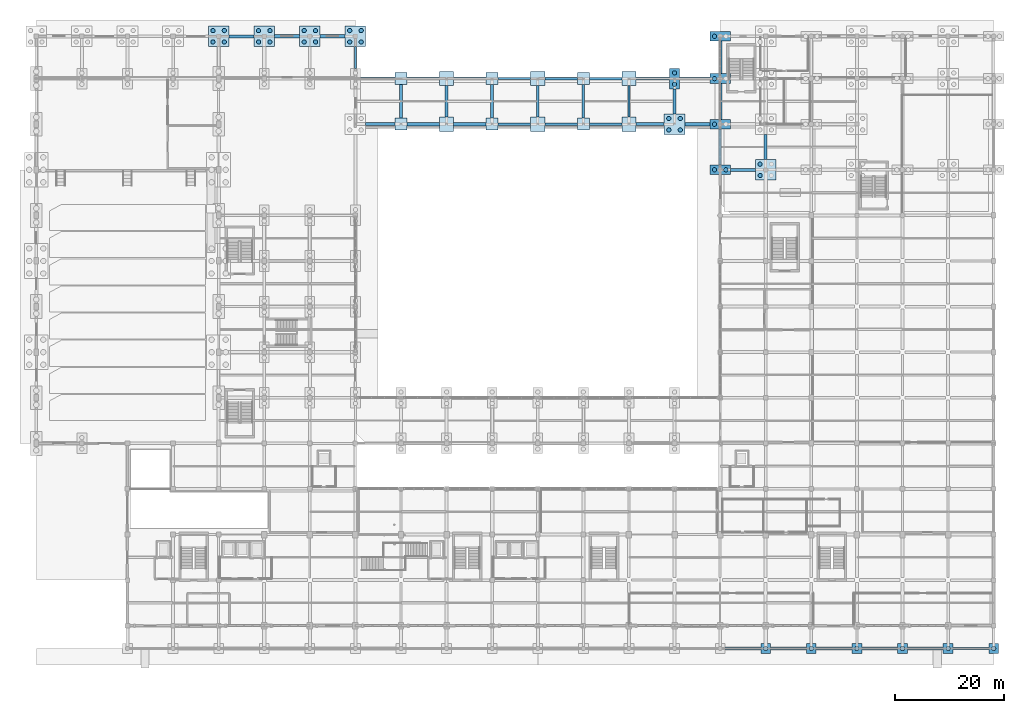
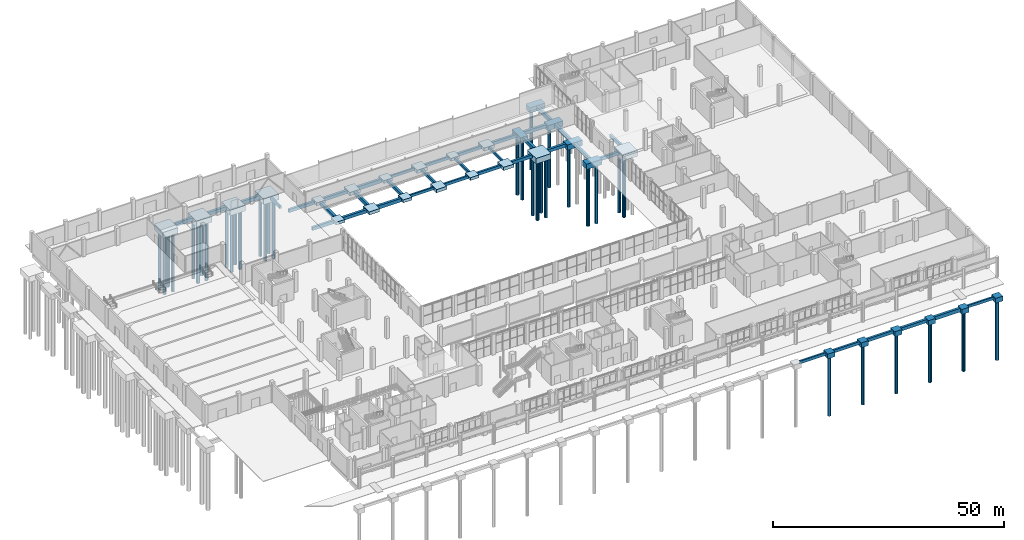
# One storey, part 4 of 82: 67 footings, 35 piles.
"""IFC4 building model written with IfcOpenShell, lengths in metres."""

import ifcopenshell
import ifcopenshell.guid

model = None  # the IFC model being written
_history = None  # IfcOwnerHistory: only IFC2X3 demands one
_inside = {}  # id of a spatial element -> (the spatial element, [elements in it])
_under = {}  # id of a project, library or spatial element -> (it, [spatial elements below it])
_declared = {}  # id of a project -> (the project, [libraries it declares])
_typed = {}  # id of a type object -> (the type object, [elements of that type])
_made_of = {}  # id of a material, layer set ... -> (it, [elements and type objects made of it])


def new_model(schema):
    """Start an empty IFC model of exactly this schema.

    Asked for "IFC4X3", IfcOpenShell would pick the latest addendum, in which some entities
    have other attributes; the version numbers below select the first issue.
    IFC2X3 requires an IfcOwnerHistory on every rooted entity: one is made here for all.
    """
    global model, _history
    if schema == "IFC4X3":
        model = ifcopenshell.file(schema_version=(4, 3, 0, 0))
    else:
        model = ifcopenshell.file(schema=schema)
    _inside.clear()
    _under.clear()
    _declared.clear()
    _typed.clear()
    _made_of.clear()
    _history = None
    if model.schema == "IFC2X3":
        org = make("IfcOrganization", Name="unknown")
        user = make(
            "IfcPersonAndOrganization",
            ThePerson=make("IfcPerson", FamilyName="unknown"),
            TheOrganization=org,
        )
        app = make(
            "IfcApplication",
            ApplicationDeveloper=org,
            Version="unknown",
            ApplicationFullName="unknown",
            ApplicationIdentifier="unknown",
        )
        _history = make(
            "IfcOwnerHistory",
            OwningUser=user,
            OwningApplication=app,
            ChangeAction="ADDED",
            CreationDate=0,
        )
    return model


def make(cls, **values):
    """One entity of the class cls with the attributes given. An attribute that is None is left unset."""
    return model.create_entity(
        cls, **{name: value for name, value in values.items() if value is not None}
    )


def rooted(cls, **values):
    """An entity with a GlobalId (a new one), such as an element, a storey or a relation."""
    return make(cls, GlobalId=ifcopenshell.guid.new(), OwnerHistory=_history, **values)


def si_unit(unit_type, name, prefix=None):
    """IfcSIUnit, for example si_unit("LENGTHUNIT", "METRE", prefix="MILLI")."""
    return make("IfcSIUnit", UnitType=unit_type, Prefix=prefix, Name=name)


def derived_unit(unit_type, elements):
    """IfcDerivedUnit: a product of units, each with its exponent."""
    return make(
        "IfcDerivedUnit",
        Elements=[
            make("IfcDerivedUnitElement", Unit=unit, Exponent=power)
            for unit, power in elements
        ],
        UnitType=unit_type,
    )


def assignment(units):
    """IfcUnitAssignment: the units of a project."""
    return None if units is None else make("IfcUnitAssignment", Units=units)


def point(xyz):
    """IfcCartesianPoint."""
    return None if xyz is None else make("IfcCartesianPoint", Coordinates=xyz)


def direction(xyz):
    """IfcDirection."""
    return None if xyz is None else make("IfcDirection", DirectionRatios=xyz)


def frame(location, z_axis=None, x_axis=None):
    """IfcAxis2Placement3D, a coordinate frame: its origin and axes. An axis left out is left unset."""
    return make(
        "IfcAxis2Placement3D",
        Location=point(location),
        Axis=direction(z_axis),
        RefDirection=direction(x_axis),
    )


def frame_2d(location, x_axis=None):
    """IfcAxis2Placement2D, a coordinate frame in the plane: its origin and x axis."""
    return make(
        "IfcAxis2Placement2D", Location=point(location), RefDirection=direction(x_axis)
    )


def origin():
    """The frame at (0, 0, 0) with its axes left unset."""
    return frame((0.0, 0.0, 0.0))


def origin_2d():
    """The frame at (0, 0) in the plane with its x axis left unset."""
    return frame_2d((0.0, 0.0))


def place(relative_to, where):
    """IfcLocalPlacement: puts the frame where relative to a parent placement (None: the world)."""
    return make(
        "IfcLocalPlacement", PlacementRelTo=relative_to, RelativePlacement=where
    )


def context(
    kind, dimensions, precision=None, world=None, true_north=None, identifier=None
):
    """IfcGeometricRepresentationContext, for example the 3D "Model" context."""
    return make(
        "IfcGeometricRepresentationContext",
        ContextIdentifier=identifier,
        ContextType=kind,
        CoordinateSpaceDimension=dimensions,
        Precision=precision,
        WorldCoordinateSystem=world,
        TrueNorth=true_north,
    )


def subcontext(parent, identifier, kind, view, scale=None):
    """IfcGeometricRepresentationSubContext, for example "Body" below "Model"."""
    return make(
        "IfcGeometricRepresentationSubContext",
        ContextIdentifier=identifier,
        ContextType=kind,
        ParentContext=parent,
        TargetScale=scale,
        TargetView=view,
    )


def project(units=None, contexts=None):
    """IfcProject with its units and contexts."""
    return rooted(
        "IfcProject",
        Name="project",
        RepresentationContexts=contexts,
        UnitsInContext=assignment(units),
    )


def spatial(cls, under=None, at=None, **own):
    """A site, building, storey or space (cls), placed at a placement, below another one or the project."""
    s = rooted(cls, ObjectPlacement=at, **own)
    if under is not None:
        _under.setdefault(under.id(), (under, []))[1].append(s)
    return s


def polyline(points):
    """IfcPolyline through the points."""
    return make("IfcPolyline", Points=[point(p) for p in points])


def profile(cls, at=None, kind="AREA", **sizes):
    """A parametric profile (cls). Its sizes go by their IFC names, for example OverallWidth=200.0."""
    return make(cls, ProfileType=kind, Position=at, **sizes)


def rectangle(**sizes):
    """IfcRectangleProfileDef."""
    return profile("IfcRectangleProfileDef", **sizes)


def circle(**sizes):
    """IfcCircleProfileDef."""
    return profile("IfcCircleProfileDef", **sizes)


def outline(outer, holes=None, kind="AREA"):
    """IfcArbitraryClosedProfileDef: a profile drawn as a closed curve; with holes, ...WithVoids."""
    if holes is None:
        return make("IfcArbitraryClosedProfileDef", ProfileType=kind, OuterCurve=outer)
    return make(
        "IfcArbitraryProfileDefWithVoids",
        ProfileType=kind,
        OuterCurve=outer,
        InnerCurves=holes,
    )


def extrude(swept, where, along, depth):
    """IfcExtrudedAreaSolid: the profile swept, set in the frame where, extruded along a direction by depth."""
    return make(
        "IfcExtrudedAreaSolid",
        SweptArea=swept,
        Position=where,
        ExtrudedDirection=direction(along),
        Depth=depth,
    )


def shape(context_of_items, identifier, shape_type, items):
    """IfcShapeRepresentation: the items that make up one representation, for example the "Body"."""
    return make(
        "IfcShapeRepresentation",
        ContextOfItems=context_of_items,
        RepresentationIdentifier=identifier,
        RepresentationType=shape_type,
        Items=items,
    )


def material(Name=None, Category=None):
    """IfcMaterial."""
    return make("IfcMaterial", Name=Name, Category=Category)


def material_profile(
    of_material, cross_section, Name=None, Category=None, Priority=None
):
    """IfcMaterialProfile: a cross section and its material."""
    return make(
        "IfcMaterialProfile",
        Name=Name,
        Material=of_material,
        Profile=cross_section,
        Priority=Priority,
        Category=Category,
    )


def profile_set(profiles, Name=None, composite=None):
    """IfcMaterialProfileSet."""
    return make(
        "IfcMaterialProfileSet",
        Name=Name,
        MaterialProfiles=profiles,
        CompositeProfile=composite,
    )


def made_of(thing, what):
    """Note that an element or type object is made of a material, layer set ...; save() writes the relation."""
    if what is not None:
        _made_of.setdefault(what.id(), (what, []))[1].append(thing)
    return thing


def type_object(cls, material=None, **own):
    """A type object (cls), such as IfcWallType, which elements share."""
    return made_of(rooted(cls, **own), material)


def element(
    cls,
    number,
    at=None,
    inside=None,
    cuts=None,
    type_object=None,
    material=None,
    context=None,
    identifier="Body",
    shape_type=None,
    held_by="IfcProductDefinitionShape",
    body=None,
    shapes=None,
    **own,
):
    """One element of the class cls, such as IfcWall. Its Tag is "e" and its number.

    at: its placement. inside: the storey or other place that contains it. cuts: it is an
    opening in that element (IfcRelVoidsElement). A single representation is given by context,
    identifier, shape_type and body (its items); several are given by shapes. held_by: the class
    of the entity that holds the representations. save() writes the other relations.
    """
    e = rooted(cls, Tag="e%d" % number, ObjectPlacement=at, **own)
    if body is not None:
        shapes = [shape(context, identifier, shape_type, body)]
    if shapes is not None:
        e.Representation = make(held_by, Representations=shapes)
    if inside is not None:
        _inside.setdefault(inside.id(), (inside, []))[1].append(e)
    if cuts is not None:
        rooted(
            "IfcRelVoidsElement", RelatingBuildingElement=cuts, RelatedOpeningElement=e
        )
    if type_object is not None:
        _typed.setdefault(type_object.id(), (type_object, []))[1].append(e)
    return made_of(e, material)


def aggregate(whole, parts):
    """IfcRelAggregates: a whole, such as a stair, and the parts it consists of."""
    return rooted("IfcRelAggregates", RelatingObject=whole, RelatedObjects=parts)


def save(model, path):
    """Write the relations noted so far, then the file.

    IfcRelAggregates (storeys below a building ...), IfcRelContainedInSpatialStructure (elements
    in a storey), IfcRelDefinesByType, IfcRelAssociatesMaterial and IfcRelDeclares: one each for
    every whole, place, type object, material and project.
    """
    for whole, parts in _under.values():
        aggregate(whole, parts)
    for where, things in _inside.values():
        rooted(
            "IfcRelContainedInSpatialStructure",
            RelatedElements=things,
            RelatingStructure=where,
        )
    for kind, things in _typed.values():
        rooted("IfcRelDefinesByType", RelatedObjects=things, RelatingType=kind)
    for what, things in _made_of.values():
        rooted("IfcRelAssociatesMaterial", RelatedObjects=things, RelatingMaterial=what)
    for by, libraries in _declared.values():
        rooted("IfcRelDeclares", RelatingContext=by, RelatedDefinitions=libraries)
    model.write(path)


model = new_model("IFC4")

# Units and contexts
model_context = context("Model", 3, precision=1e-05, world=origin(), true_north=direction((0.0, 1.0)))
body_context = subcontext(model_context, "Body", "Model", "MODEL_VIEW")
ifc_project = project(units=[si_unit("LENGTHUNIT", "METRE"), si_unit("AREAUNIT", "SQUARE_METRE"), si_unit("VOLUMEUNIT", "CUBIC_METRE"), si_unit("PLANEANGLEUNIT", "RADIAN"), si_unit("MASSUNIT", "GRAM", prefix="KILO"), derived_unit("THERMALTRANSMITTANCEUNIT", [(si_unit("POWERUNIT", "WATT"), 1), (si_unit("LENGTHUNIT", "METRE"), -2), (si_unit("THERMODYNAMICTEMPERATUREUNIT", "KELVIN"), -1)])], contexts=[model_context])

# Site, building, storey
site_placement = place(None, origin())
site = spatial("IfcSite", under=ifc_project, at=site_placement, CompositionType="ELEMENT")
building_placement = place(site_placement, origin())
building = spatial("IfcBuilding", under=site, at=building_placement, Name="Barrovel Congress Hotel", CompositionType="ELEMENT")
storey_placement = place(building_placement, origin())
storey = spatial("IfcBuildingStorey", under=building, at=storey_placement, Name="L00", CompositionType="ELEMENT", Elevation=0.0)

# Footings
ifc_material_1 = material(Name="Concrete C40", Category="concrete")
footing_type_1 = type_object("IfcFootingType", Name="CAP-PC-01", PredefinedType="PILE_CAP", material=ifc_material_1)
for number, where, z_axis, x_axis, name in (
    (1, (134.39990234375, 0.0, -6.16015625), (0.0, 0.0, 1.0), (1.0, 0.0, 0.0), "CAP:L00:134.4:0.0"),
    (2, (142.800048828125, 0.0, -6.16015625), (0.0, 0.0, 1.0), (1.0, 0.0, 0.0), "CAP:L00:142.8:0.0"),
    (3, (151.199951171875, 0.0, -6.16015625), (0.0, 0.0, 1.0), (1.0, 0.0, 0.0), "CAP:L00:151.2:0.0"),
    (4, (159.60009765625, 0.0, -6.16015625), (0.0, 0.0, 1.0), (1.0, 0.0, 0.0), "CAP:L00:159.6:0.0"),
    (5, (168.0, 0.0, -6.16015625), (0.0, 0.0, 1.0), (1.0, 0.0, 0.0), "CAP:L00:168.0:0.0"),
    (6, (176.39990234375, 0.0, -6.16015625), (0.0, 0.0, 1.0), (1.0, 0.0, 0.0), "CAP:L00:176.4:0.0"),
):
    element("IfcFooting", number, at=place(storey_placement, frame(where, z_axis=z_axis, x_axis=x_axis)), inside=storey, type_object=footing_type_1, Name=name, PredefinedType="PILE_CAP", context=body_context, shape_type="SweptSolid", body=[
        extrude(rectangle(XDim=1.800048828125, YDim=1.800048828125, at=origin_2d()), origin(), (0.0, 0.0, 1.0), 1.300048828125),
    ])
footing_type_2 = type_object("IfcFootingType", Name="CAP-PC-03", PredefinedType="PILE_CAP", material=ifc_material_1)
for number, where, z_axis, x_axis, name in (
    (7, (126.0, 88.199951171875, -6.260009765625), (0.0, 0.0, 1.0), (1.0, 0.0, 0.0), "CAP:L00:126.0:88.2"),
    (8, (126.0, 96.60009765625, -6.260009765625), (0.0, 0.0, 1.0), (1.0, 0.0, 0.0), "CAP:L00:126.0:96.6"),
    (9, (126.0, 105.0, -6.260009765625), (0.0, 0.0, 1.0), (1.0, 0.0, 0.0), "CAP:L00:126.0:105.0"),
    (10, (126.0, 112.800048828125, -6.260009765625), (0.0, 0.0, 1.0), (1.0, 0.0, 0.0), "CAP:L00:126.0:112.8"),
):
    element("IfcFooting", number, at=place(storey_placement, frame(where, z_axis=z_axis, x_axis=x_axis)), inside=storey, type_object=footing_type_2, Name=name, PredefinedType="PILE_CAP", context=body_context, shape_type="SweptSolid", body=[
        extrude(rectangle(XDim=3.800048828125, YDim=1.800048828125, at=origin_2d()), origin(), (0.0, 0.0, 1.0), 1.39990234375),
    ])
footing_type_3 = type_object("IfcFootingType", Name="CAP-PC-04", PredefinedType="PILE_CAP", material=ifc_material_1)
footing_1_placement = place(storey_placement, frame((117.60009765625, 105.0, -6.260009765625), z_axis=(0.0, 0.0, 1.0), x_axis=(1.0, 0.0, 0.0)))
element("IfcFooting", 11, at=footing_1_placement, inside=storey, type_object=footing_type_3, Name="CAP:L00:117.6:105.0", PredefinedType="PILE_CAP", context=body_context, shape_type="SweptSolid", body=[
    extrude(rectangle(XDim=1.800048828125, YDim=3.800048828125, at=origin_2d()), origin(), (0.0, 0.0, 1.0), 1.39990234375),
])
footing_type_4 = type_object("IfcFootingType", Name="CAP-PC-07", PredefinedType="PILE_CAP", material=ifc_material_1)
for number, where, z_axis, x_axis, name in (
    (12, (33.60009765625, 112.800048828125, -6.360107421875), (0.0, 0.0, 1.0), (1.0, 0.0, 0.0), "CAP:L00:33.6:112.8"),
    (13, (42.0, 112.800048828125, -6.360107421875), (0.0, 0.0, 1.0), (1.0, 0.0, 0.0), "CAP:L00:42.0:112.8"),
    (14, (50.39990234375, 112.800048828125, -6.360107421875), (0.0, 0.0, 1.0), (1.0, 0.0, 0.0), "CAP:L00:50.4:112.8"),
    (15, (58.800048828125, 112.800048828125, -6.360107421875), (0.0, 0.0, 1.0), (1.0, 0.0, 0.0), "CAP:L00:58.8:112.8"),
    (16, (117.60009765625, 96.60009765625, -6.360107421875), (0.0, 0.0, 1.0), (1.0, 0.0, 0.0), "CAP:L00:117.6:96.6"),
    (17, (134.39990234375, 88.199951171875, -6.360107421875), (0.0, 0.0, 1.0), (1.0, 0.0, 0.0), "CAP:L00:134.4:88.2"),
):
    element("IfcFooting", number, at=place(storey_placement, frame(where, z_axis=z_axis, x_axis=x_axis)), inside=storey, type_object=footing_type_4, Name=name, PredefinedType="PILE_CAP", context=body_context, shape_type="SweptSolid", body=[
        extrude(rectangle(XDim=3.800048828125, YDim=3.800048828125, at=origin_2d()), origin(), (0.0, 0.0, 1.0), 1.5),
    ])
footing_type_5 = type_object("IfcFootingType", Name="FB-400x700", PredefinedType="FOOTING_BEAM", material=ifc_material_1)
footing_2_placement = place(storey_placement, frame((0.0, 0.0, -5.56005859375)))
element("IfcFooting", 18, at=footing_2_placement, inside=storey, type_object=footing_type_5, Name="FBX:L00:0.0:168.0-176.4", PredefinedType="FOOTING_BEAM", context=body_context, shape_type="SweptSolid", body=[
    extrude(outline(polyline([(168.89990234375, -0.199951171875), (175.5, -0.199951171875), (175.5, 0.199951171875), (168.89990234375, 0.199951171875), (168.89990234375, -0.199951171875)])), origin(), (0.0, 0.0, 1.0), 0.699951171875),
])
footing_3_placement = place(storey_placement, frame((0.0, 0.0, -5.56005859375)))
element("IfcFooting", 19, at=footing_3_placement, inside=storey, type_object=footing_type_5, Name="FBX:L00:96.6:84.0-92.4", PredefinedType="FOOTING_BEAM", context=body_context, shape_type="SweptSolid", body=[
    extrude(outline(polyline([(85.10009765625, 96.39990234375), (91.10009765625, 96.39990234375), (91.10009765625, 96.800048828125), (85.10009765625, 96.800048828125), (85.10009765625, 96.39990234375)])), origin(), (0.0, 0.0, 1.0), 0.699951171875),
])
footing_4_placement = place(storey_placement, frame((0.0, 0.0, -5.56005859375)))
element("IfcFooting", 20, at=footing_4_placement, inside=storey, type_object=footing_type_5, Name="FBX:L00:105.0:84.0-92.4", PredefinedType="FOOTING_BEAM", context=body_context, shape_type="SweptSolid", body=[
    extrude(outline(polyline([(85.10009765625, 104.800048828125), (91.10009765625, 104.800048828125), (91.10009765625, 105.199951171875), (85.10009765625, 105.199951171875), (85.10009765625, 104.800048828125)])), origin(), (0.0, 0.0, 1.0), 0.699951171875),
])
footing_5_placement = place(storey_placement, frame((0.0, 0.0, -5.56005859375)))
element("IfcFooting", 21, at=footing_5_placement, inside=storey, type_object=footing_type_5, Name="FBY:L00:58.8:105.0-112.8", PredefinedType="FOOTING_BEAM", context=body_context, shape_type="SweptSolid", body=[
    extrude(outline(polyline([(58.60009765625, 106.89990234375), (59.0, 106.89990234375), (59.0, 110.89990234375), (58.60009765625, 110.89990234375), (58.60009765625, 106.89990234375)])), origin(), (0.0, 0.0, 1.0), 0.699951171875),
])
footing_6_placement = place(storey_placement, frame((0.0, 0.0, -5.56005859375)))
element("IfcFooting", 22, at=footing_6_placement, inside=storey, type_object=footing_type_5, Name="FBY:L00:109.2:96.6-105.0", PredefinedType="FOOTING_BEAM", context=body_context, shape_type="SweptSolid", body=[
    extrude(outline(polyline([(109.0, 97.89990234375), (109.39990234375, 97.89990234375), (109.39990234375, 103.699951171875), (109.0, 103.699951171875), (109.0, 97.89990234375)])), origin(), (0.0, 0.0, 1.0), 0.699951171875),
])
footing_type_6 = type_object("IfcFootingType", Name="FB-450x750", PredefinedType="FOOTING_BEAM", material=ifc_material_1)
footing_7_placement = place(storey_placement, frame((0.0, 0.0, -5.610107421875)))
element("IfcFooting", 23, at=footing_7_placement, inside=storey, type_object=footing_type_6, Name="FBX:L00:0.0:126.0-134.4", PredefinedType="FOOTING_BEAM", context=body_context, shape_type="SweptSolid", body=[
    extrude(outline(polyline([(126.89990234375, -0.22509765625), (133.5, -0.22509765625), (133.5, 0.22509765625), (126.89990234375, 0.22509765625), (126.89990234375, -0.22509765625)])), origin(), (0.0, 0.0, 1.0), 0.75),
])
footing_8_placement = place(storey_placement, frame((0.0, 0.0, -5.610107421875)))
element("IfcFooting", 24, at=footing_8_placement, inside=storey, type_object=footing_type_6, Name="FBX:L00:96.6:92.4-100.8", PredefinedType="FOOTING_BEAM", context=body_context, shape_type="SweptSolid", body=[
    extrude(outline(polyline([(93.699951171875, 96.375), (99.699951171875, 96.375), (99.699951171875, 96.824951171875), (93.699951171875, 96.824951171875), (93.699951171875, 96.375)])), origin(), (0.0, 0.0, 1.0), 0.75),
])
footing_9_placement = place(storey_placement, frame((0.0, 0.0, -5.610107421875)))
element("IfcFooting", 25, at=footing_9_placement, inside=storey, type_object=footing_type_6, Name="FBX:L00:105.0:92.4-100.8", PredefinedType="FOOTING_BEAM", context=body_context, shape_type="SweptSolid", body=[
    extrude(outline(polyline([(93.699951171875, 104.77490234375), (99.699951171875, 104.77490234375), (99.699951171875, 105.22509765625), (93.699951171875, 105.22509765625), (93.699951171875, 104.77490234375)])), origin(), (0.0, 0.0, 1.0), 0.75),
])
footing_10_placement = place(storey_placement, frame((0.0, 0.0, -5.610107421875)))
element("IfcFooting", 26, at=footing_10_placement, inside=storey, type_object=footing_type_6, Name="FBY:L00:100.8:96.6-105.0", PredefinedType="FOOTING_BEAM", context=body_context, shape_type="SweptSolid", body=[
    extrude(outline(polyline([(100.574951171875, 97.699951171875), (101.02490234375, 97.699951171875), (101.02490234375, 103.89990234375), (100.574951171875, 103.89990234375), (100.574951171875, 97.699951171875)])), origin(), (0.0, 0.0, 1.0), 0.75),
])
footing_type_7 = type_object("IfcFootingType", Name="FB-500x800", PredefinedType="FOOTING_BEAM", material=ifc_material_1)
footing_11_placement = place(storey_placement, frame((0.0, 0.0, -5.659912109375)))
element("IfcFooting", 27, at=footing_11_placement, inside=storey, type_object=footing_type_7, Name="FBX:L00:0.0:134.4-142.8", PredefinedType="FOOTING_BEAM", context=body_context, shape_type="SweptSolid", body=[
    extrude(outline(polyline([(135.300048828125, -0.25), (141.89990234375, -0.25), (141.89990234375, 0.25), (135.300048828125, 0.25), (135.300048828125, -0.25)])), origin(), (0.0, 0.0, 1.0), 0.7998046875),
])
footing_12_placement = place(storey_placement, frame((0.0, 0.0, -5.659912109375)))
element("IfcFooting", 28, at=footing_12_placement, inside=storey, type_object=footing_type_7, Name="FBX:L00:96.6:100.8-109.2", PredefinedType="FOOTING_BEAM", context=body_context, shape_type="SweptSolid", body=[
    extrude(outline(polyline([(101.89990234375, 96.35009765625), (107.89990234375, 96.35009765625), (107.89990234375, 96.85009765625), (101.89990234375, 96.85009765625), (101.89990234375, 96.35009765625)])), origin(), (0.0, 0.0, 1.0), 0.7998046875),
])
footing_13_placement = place(storey_placement, frame((0.0, 0.0, -5.659912109375)))
element("IfcFooting", 29, at=footing_13_placement, inside=storey, type_object=footing_type_7, Name="FBX:L00:105.0:100.8-109.2", PredefinedType="FOOTING_BEAM", context=body_context, shape_type="SweptSolid", body=[
    extrude(outline(polyline([(101.89990234375, 104.75), (107.89990234375, 104.75), (107.89990234375, 105.25), (101.89990234375, 105.25), (101.89990234375, 104.75)])), origin(), (0.0, 0.0, 1.0), 0.7998046875),
])
footing_14_placement = place(storey_placement, frame((0.0, 0.0, -5.659912109375)))
element("IfcFooting", 30, at=footing_14_placement, inside=storey, type_object=footing_type_7, Name="FBY:L00:92.4:96.6-105.0", PredefinedType="FOOTING_BEAM", context=body_context, shape_type="SweptSolid", body=[
    extrude(outline(polyline([(92.14990234375, 97.89990234375), (92.64990234375, 97.89990234375), (92.64990234375, 103.699951171875), (92.14990234375, 103.699951171875), (92.14990234375, 97.89990234375)])), origin(), (0.0, 0.0, 1.0), 0.7998046875),
])
footing_type_8 = type_object("IfcFootingType", Name="FB-550x850", PredefinedType="FOOTING_BEAM", material=ifc_material_1)
footing_15_placement = place(storey_placement, frame((0.0, 0.0, -5.7099609375)))
element("IfcFooting", 31, at=footing_15_placement, inside=storey, type_object=footing_type_8, Name="FBX:L00:0.0:142.8-151.2", PredefinedType="FOOTING_BEAM", context=body_context, shape_type="SweptSolid", body=[
    extrude(outline(polyline([(143.699951171875, -0.27490234375), (150.300048828125, -0.27490234375), (150.300048828125, 0.27490234375), (143.699951171875, 0.27490234375), (143.699951171875, -0.27490234375)])), origin(), (0.0, 0.0, 1.0), 0.849853515625),
])
footing_16_placement = place(storey_placement, frame((0.0, 0.0, -5.7099609375)))
element("IfcFooting", 32, at=footing_16_placement, inside=storey, type_object=footing_type_8, Name="FBX:L00:88.2:126.0-134.4", PredefinedType="FOOTING_BEAM", context=body_context, shape_type="SweptSolid", body=[
    extrude(outline(polyline([(127.89990234375, 87.925048828125), (132.5, 87.925048828125), (132.5, 88.47509765625), (127.89990234375, 88.47509765625), (127.89990234375, 87.925048828125)])), origin(), (0.0, 0.0, 1.0), 0.849853515625),
])
footing_17_placement = place(storey_placement, frame((0.0, 0.0, -5.7099609375)))
element("IfcFooting", 33, at=footing_17_placement, inside=storey, type_object=footing_type_8, Name="FBX:L00:96.6:58.8-67.2", PredefinedType="FOOTING_BEAM", context=body_context, shape_type="SweptSolid", body=[
    extrude(outline(polyline([(60.699951171875, 96.324951171875), (66.10009765625, 96.324951171875), (66.10009765625, 96.875), (60.699951171875, 96.875), (60.699951171875, 96.324951171875)])), origin(), (0.0, 0.0, 1.0), 0.849853515625),
])
footing_18_placement = place(storey_placement, frame((0.0, 0.0, -5.7099609375)))
element("IfcFooting", 34, at=footing_18_placement, inside=storey, type_object=footing_type_8, Name="FBX:L00:96.6:109.2-117.6", PredefinedType="FOOTING_BEAM", context=body_context, shape_type="SweptSolid", body=[
    extrude(outline(polyline([(110.5, 96.324951171875), (115.699951171875, 96.324951171875), (115.699951171875, 96.875), (110.5, 96.875), (110.5, 96.324951171875)])), origin(), (0.0, 0.0, 1.0), 0.849853515625),
])
footing_19_placement = place(storey_placement, frame((0.0, 0.0, -5.7099609375)))
element("IfcFooting", 35, at=footing_19_placement, inside=storey, type_object=footing_type_8, Name="FBX:L00:105.0:58.8-67.2", PredefinedType="FOOTING_BEAM", context=body_context, shape_type="SweptSolid", body=[
    extrude(outline(polyline([(59.699951171875, 104.72509765625), (66.10009765625, 104.72509765625), (66.10009765625, 105.27490234375), (59.699951171875, 105.27490234375), (59.699951171875, 104.72509765625)])), origin(), (0.0, 0.0, 1.0), 0.849853515625),
])
footing_20_placement = place(storey_placement, frame((0.0, 0.0, -5.7099609375)))
element("IfcFooting", 36, at=footing_20_placement, inside=storey, type_object=footing_type_8, Name="FBX:L00:105.0:109.2-117.6", PredefinedType="FOOTING_BEAM", context=body_context, shape_type="SweptSolid", body=[
    extrude(outline(polyline([(110.5, 104.72509765625), (116.699951171875, 104.72509765625), (116.699951171875, 105.27490234375), (110.5, 105.27490234375), (110.5, 104.72509765625)])), origin(), (0.0, 0.0, 1.0), 0.849853515625),
])
footing_21_placement = place(storey_placement, frame((0.0, 0.0, -5.7099609375)))
element("IfcFooting", 37, at=footing_21_placement, inside=storey, type_object=footing_type_8, Name="FBX:L00:112.8:33.6-42.0", PredefinedType="FOOTING_BEAM", context=body_context, shape_type="SweptSolid", body=[
    extrude(outline(polyline([(35.5, 112.52490234375), (40.10009765625, 112.52490234375), (40.10009765625, 113.074951171875), (35.5, 113.074951171875), (35.5, 112.52490234375)])), origin(), (0.0, 0.0, 1.0), 0.849853515625),
])
footing_22_placement = place(storey_placement, frame((0.0, 0.0, -5.7099609375)))
element("IfcFooting", 38, at=footing_22_placement, inside=storey, type_object=footing_type_8, Name="FBY:L00:84.0:96.6-105.0", PredefinedType="FOOTING_BEAM", context=body_context, shape_type="SweptSolid", body=[
    extrude(outline(polyline([(83.72509765625, 97.699951171875), (84.27490234375, 97.699951171875), (84.27490234375, 103.89990234375), (83.72509765625, 103.89990234375), (83.72509765625, 97.699951171875)])), origin(), (0.0, 0.0, 1.0), 0.849853515625),
])
footing_23_placement = place(storey_placement, frame((0.0, 0.0, -5.7099609375)))
element("IfcFooting", 39, at=footing_23_placement, inside=storey, type_object=footing_type_8, Name="FBY:L00:126.0:88.2-96.6", PredefinedType="FOOTING_BEAM", context=body_context, shape_type="SweptSolid", body=[
    extrude(outline(polyline([(125.72509765625, 89.10009765625), (126.27490234375, 89.10009765625), (126.27490234375, 95.699951171875), (125.72509765625, 95.699951171875), (125.72509765625, 89.10009765625)])), origin(), (0.0, 0.0, 1.0), 0.849853515625),
])
footing_24_placement = place(storey_placement, frame((0.0, 0.0, -5.7099609375)))
element("IfcFooting", 40, at=footing_24_placement, inside=storey, type_object=footing_type_8, Name="FBY:L00:134.4:88.2-96.6", PredefinedType="FOOTING_BEAM", context=body_context, shape_type="SweptSolid", body=[
    extrude(outline(polyline([(134.125, 90.10009765625), (134.675048828125, 90.10009765625), (134.675048828125, 94.699951171875), (134.125, 94.699951171875), (134.125, 90.10009765625)])), origin(), (0.0, 0.0, 1.0), 0.849853515625),
])
footing_type_9 = type_object("IfcFootingType", Name="FB-600x850", PredefinedType="FOOTING_BEAM", material=ifc_material_1)
footing_25_placement = place(storey_placement, frame((0.0, 0.0, -5.7099609375)))
element("IfcFooting", 41, at=footing_25_placement, inside=storey, type_object=footing_type_9, Name="FBX:L00:0.0:151.2-159.6", PredefinedType="FOOTING_BEAM", context=body_context, shape_type="SweptSolid", body=[
    extrude(outline(polyline([(152.10009765625, -0.300048828125), (158.699951171875, -0.300048828125), (158.699951171875, 0.300048828125), (152.10009765625, 0.300048828125), (152.10009765625, -0.300048828125)])), origin(), (0.0, 0.0, 1.0), 0.849853515625),
])
footing_26_placement = place(storey_placement, frame((0.0, 0.0, -5.7099609375)))
element("IfcFooting", 42, at=footing_26_placement, inside=storey, type_object=footing_type_9, Name="FBX:L00:96.6:67.2-75.6", PredefinedType="FOOTING_BEAM", context=body_context, shape_type="SweptSolid", body=[
    extrude(outline(polyline([(68.300048828125, 96.300048828125), (74.300048828125, 96.300048828125), (74.300048828125, 96.89990234375), (68.300048828125, 96.89990234375), (68.300048828125, 96.300048828125)])), origin(), (0.0, 0.0, 1.0), 0.849853515625),
])
footing_27_placement = place(storey_placement, frame((0.0, 0.0, -5.7099609375)))
element("IfcFooting", 43, at=footing_27_placement, inside=storey, type_object=footing_type_9, Name="FBX:L00:96.6:117.6-126.0", PredefinedType="FOOTING_BEAM", context=body_context, shape_type="SweptSolid", body=[
    extrude(outline(polyline([(119.5, 96.300048828125), (124.10009765625, 96.300048828125), (124.10009765625, 96.89990234375), (119.5, 96.89990234375), (119.5, 96.300048828125)])), origin(), (0.0, 0.0, 1.0), 0.849853515625),
])
footing_28_placement = place(storey_placement, frame((0.0, 0.0, -5.7099609375)))
element("IfcFooting", 44, at=footing_28_placement, inside=storey, type_object=footing_type_9, Name="FBX:L00:105.0:67.2-75.6", PredefinedType="FOOTING_BEAM", context=body_context, shape_type="SweptSolid", body=[
    extrude(outline(polyline([(68.300048828125, 104.699951171875), (74.300048828125, 104.699951171875), (74.300048828125, 105.300048828125), (68.300048828125, 105.300048828125), (68.300048828125, 104.699951171875)])), origin(), (0.0, 0.0, 1.0), 0.849853515625),
])
footing_29_placement = place(storey_placement, frame((0.0, 0.0, -5.7099609375)))
element("IfcFooting", 45, at=footing_29_placement, inside=storey, type_object=footing_type_9, Name="FBX:L00:105.0:117.6-126.0", PredefinedType="FOOTING_BEAM", context=body_context, shape_type="SweptSolid", body=[
    extrude(outline(polyline([(118.5, 104.699951171875), (124.10009765625, 104.699951171875), (124.10009765625, 105.300048828125), (118.5, 105.300048828125), (118.5, 104.699951171875)])), origin(), (0.0, 0.0, 1.0), 0.849853515625),
])
footing_30_placement = place(storey_placement, frame((0.0, 0.0, -5.7099609375)))
element("IfcFooting", 46, at=footing_30_placement, inside=storey, type_object=footing_type_9, Name="FBX:L00:112.8:42.0-50.4", PredefinedType="FOOTING_BEAM", context=body_context, shape_type="SweptSolid", body=[
    extrude(outline(polyline([(43.89990234375, 112.5), (48.5, 112.5), (48.5, 113.10009765625), (43.89990234375, 113.10009765625), (43.89990234375, 112.5)])), origin(), (0.0, 0.0, 1.0), 0.849853515625),
])
footing_31_placement = place(storey_placement, frame((0.0, 0.0, -5.7099609375)))
element("IfcFooting", 47, at=footing_31_placement, inside=storey, type_object=footing_type_9, Name="FBY:L00:75.6:96.6-105.0", PredefinedType="FOOTING_BEAM", context=body_context, shape_type="SweptSolid", body=[
    extrude(outline(polyline([(75.300048828125, 97.89990234375), (75.89990234375, 97.89990234375), (75.89990234375, 103.699951171875), (75.300048828125, 103.699951171875), (75.300048828125, 97.89990234375)])), origin(), (0.0, 0.0, 1.0), 0.849853515625),
])
footing_32_placement = place(storey_placement, frame((0.0, 0.0, -5.7099609375)))
element("IfcFooting", 48, at=footing_32_placement, inside=storey, type_object=footing_type_9, Name="FBY:L00:126.0:96.6-105.0", PredefinedType="FOOTING_BEAM", context=body_context, shape_type="SweptSolid", body=[
    extrude(outline(polyline([(125.699951171875, 97.5), (126.300048828125, 97.5), (126.300048828125, 104.10009765625), (125.699951171875, 104.10009765625), (125.699951171875, 97.5)])), origin(), (0.0, 0.0, 1.0), 0.849853515625),
])
footing_type_10 = type_object("IfcFootingType", Name="FB-600x950", PredefinedType="FOOTING_BEAM", material=ifc_material_1)
footing_33_placement = place(storey_placement, frame((0.0, 0.0, -5.81005859375)))
element("IfcFooting", 49, at=footing_33_placement, inside=storey, type_object=footing_type_10, Name="FBX:L00:0.0:159.6-168.0", PredefinedType="FOOTING_BEAM", context=body_context, shape_type="SweptSolid", body=[
    extrude(outline(polyline([(160.5, -0.300048828125), (167.10009765625, -0.300048828125), (167.10009765625, 0.300048828125), (160.5, 0.300048828125), (160.5, -0.300048828125)])), origin(), (0.0, 0.0, 1.0), 0.949951171875),
])
footing_34_placement = place(storey_placement, frame((0.0, 0.0, -5.81005859375)))
element("IfcFooting", 50, at=footing_34_placement, inside=storey, type_object=footing_type_10, Name="FBX:L00:96.6:75.6-84.0", PredefinedType="FOOTING_BEAM", context=body_context, shape_type="SweptSolid", body=[
    extrude(outline(polyline([(76.89990234375, 96.300048828125), (82.89990234375, 96.300048828125), (82.89990234375, 96.89990234375), (76.89990234375, 96.89990234375), (76.89990234375, 96.300048828125)])), origin(), (0.0, 0.0, 1.0), 0.949951171875),
])
footing_35_placement = place(storey_placement, frame((0.0, 0.0, -5.81005859375)))
element("IfcFooting", 51, at=footing_35_placement, inside=storey, type_object=footing_type_10, Name="FBX:L00:105.0:75.6-84.0", PredefinedType="FOOTING_BEAM", context=body_context, shape_type="SweptSolid", body=[
    extrude(outline(polyline([(76.89990234375, 104.699951171875), (82.89990234375, 104.699951171875), (82.89990234375, 105.300048828125), (76.89990234375, 105.300048828125), (76.89990234375, 104.699951171875)])), origin(), (0.0, 0.0, 1.0), 0.949951171875),
])
footing_36_placement = place(storey_placement, frame((0.0, 0.0, -5.81005859375)))
element("IfcFooting", 52, at=footing_36_placement, inside=storey, type_object=footing_type_10, Name="FBX:L00:112.8:50.4-58.8", PredefinedType="FOOTING_BEAM", context=body_context, shape_type="SweptSolid", body=[
    extrude(outline(polyline([(52.300048828125, 112.5), (56.89990234375, 112.5), (56.89990234375, 113.10009765625), (52.300048828125, 113.10009765625), (52.300048828125, 112.5)])), origin(), (0.0, 0.0, 1.0), 0.949951171875),
])
footing_37_placement = place(storey_placement, frame((0.0, 0.0, -5.81005859375)))
element("IfcFooting", 53, at=footing_37_placement, inside=storey, type_object=footing_type_10, Name="FBY:L00:67.2:96.6-105.0", PredefinedType="FOOTING_BEAM", context=body_context, shape_type="SweptSolid", body=[
    extrude(outline(polyline([(66.89990234375, 97.699951171875), (67.5, 97.699951171875), (67.5, 103.89990234375), (66.89990234375, 103.89990234375), (66.89990234375, 97.699951171875)])), origin(), (0.0, 0.0, 1.0), 0.949951171875),
])
footing_38_placement = place(storey_placement, frame((0.0, 0.0, -5.81005859375)))
element("IfcFooting", 54, at=footing_38_placement, inside=storey, type_object=footing_type_10, Name="FBY:L00:117.6:96.6-105.0", PredefinedType="FOOTING_BEAM", context=body_context, shape_type="SweptSolid", body=[
    extrude(outline(polyline([(117.300048828125, 98.5), (117.89990234375, 98.5), (117.89990234375, 103.10009765625), (117.300048828125, 103.10009765625), (117.300048828125, 98.5)])), origin(), (0.0, 0.0, 1.0), 0.949951171875),
])
footing_39_placement = place(storey_placement, frame((0.0, 0.0, -5.81005859375)))
element("IfcFooting", 55, at=footing_39_placement, inside=storey, type_object=footing_type_10, Name="FBY:L00:126.0:105.0-112.8", PredefinedType="FOOTING_BEAM", context=body_context, shape_type="SweptSolid", body=[
    extrude(outline(polyline([(125.699951171875, 105.89990234375), (126.300048828125, 105.89990234375), (126.300048828125, 111.89990234375), (125.699951171875, 111.89990234375), (125.699951171875, 105.89990234375)])), origin(), (0.0, 0.0, 1.0), 0.949951171875),
])
footing_type_11 = type_object("IfcFootingType", Name="PF-2200x2200x750", PredefinedType="PAD_FOOTING", material=ifc_material_1)
for number, where, z_axis, x_axis, name in (
    (56, (67.199951171875, 96.60009765625, -5.610107421875), (0.0, 0.0, 1.0), (1.0, 0.0, 0.0), "PF:L00:67.2:96.6"),
    (57, (67.199951171875, 105.0, -5.610107421875), (0.0, 0.0, 1.0), (1.0, 0.0, 0.0), "PF:L00:67.2:105.0"),
    (58, (84.0, 96.60009765625, -5.610107421875), (0.0, 0.0, 1.0), (1.0, 0.0, 0.0), "PF:L00:84.0:96.6"),
    (59, (84.0, 105.0, -5.610107421875), (0.0, 0.0, 1.0), (1.0, 0.0, 0.0), "PF:L00:84.0:105.0"),
    (60, (100.800048828125, 96.60009765625, -5.610107421875), (0.0, 0.0, 1.0), (1.0, 0.0, 0.0), "PF:L00:100.8:96.6"),
    (61, (100.800048828125, 105.0, -5.610107421875), (0.0, 0.0, 1.0), (1.0, 0.0, 0.0), "PF:L00:100.8:105.0"),
):
    element("IfcFooting", number, at=place(storey_placement, frame(where, z_axis=z_axis, x_axis=x_axis)), inside=storey, type_object=footing_type_11, Name=name, PredefinedType="PAD_FOOTING", context=body_context, shape_type="SweptSolid", body=[
        extrude(rectangle(XDim=2.199951171875, YDim=2.199951171875, at=origin_2d()), origin(), (0.0, 0.0, 1.0), 0.75),
    ])
footing_type_12 = type_object("IfcFootingType", Name="PF-2600x2600x850", PredefinedType="PAD_FOOTING", material=ifc_material_1)
for number, where, z_axis, x_axis, name in (
    (62, (75.60009765625, 96.60009765625, -5.7099609375), (0.0, 0.0, 1.0), (1.0, 0.0, 0.0), "PF:L00:75.6:96.6"),
    (63, (75.60009765625, 105.0, -5.7099609375), (0.0, 0.0, 1.0), (1.0, 0.0, 0.0), "PF:L00:75.6:105.0"),
    (64, (92.39990234375, 96.60009765625, -5.7099609375), (0.0, 0.0, 1.0), (1.0, 0.0, 0.0), "PF:L00:92.4:96.6"),
    (65, (92.39990234375, 105.0, -5.7099609375), (0.0, 0.0, 1.0), (1.0, 0.0, 0.0), "PF:L00:92.4:105.0"),
    (66, (109.199951171875, 96.60009765625, -5.7099609375), (0.0, 0.0, 1.0), (1.0, 0.0, 0.0), "PF:L00:109.2:96.6"),
    (67, (109.199951171875, 105.0, -5.7099609375), (0.0, 0.0, 1.0), (1.0, 0.0, 0.0), "PF:L00:109.2:105.0"),
):
    element("IfcFooting", number, at=place(storey_placement, frame(where, z_axis=z_axis, x_axis=x_axis)), inside=storey, type_object=footing_type_12, Name=name, PredefinedType="PAD_FOOTING", context=body_context, shape_type="SweptSolid", body=[
        extrude(rectangle(XDim=2.60009765625, YDim=2.60009765625, at=origin_2d()), origin(), (0.0, 0.0, 1.0), 0.85009765625),
    ])

# Piles
ifc_material_2 = material(Name="Concrete C35", Category="concrete")
ifc_material_profile = material_profile(ifc_material_2, circle(Radius=0.39990234375, at=origin_2d()), Name="BP-D800")
ifc_profile_set = profile_set([ifc_material_profile], Name="Concrete C35")
pile_type = type_object("IfcPileType", Name="PILE-BP-D800", PredefinedType="BORED", material=ifc_profile_set)
for number, where, z_axis, x_axis, name in (
    (68, (32.550048828125, 111.75, -6.360107421875), (0.0, 0.0, -1.0), (1.0, 0.0, 0.0), "PILE:L00:33.6:112.8:1"),
    (69, (34.64990234375, 111.75, -6.360107421875), (0.0, 0.0, -1.0), (1.0, 0.0, 0.0), "PILE:L00:33.6:112.8:2"),
    (70, (32.550048828125, 113.85009765625, -6.360107421875), (0.0, 0.0, -1.0), (1.0, 0.0, 0.0), "PILE:L00:33.6:112.8:3"),
    (71, (34.64990234375, 113.85009765625, -6.360107421875), (0.0, 0.0, -1.0), (1.0, 0.0, 0.0), "PILE:L00:33.6:112.8:4"),
    (72, (40.949951171875, 111.75, -6.360107421875), (0.0, 0.0, -1.0), (1.0, 0.0, 0.0), "PILE:L00:42.0:112.8:1"),
    (73, (43.050048828125, 111.75, -6.360107421875), (0.0, 0.0, -1.0), (1.0, 0.0, 0.0), "PILE:L00:42.0:112.8:2"),
    (74, (40.949951171875, 113.85009765625, -6.360107421875), (0.0, 0.0, -1.0), (1.0, 0.0, 0.0), "PILE:L00:42.0:112.8:3"),
    (75, (43.050048828125, 113.85009765625, -6.360107421875), (0.0, 0.0, -1.0), (1.0, 0.0, 0.0), "PILE:L00:42.0:112.8:4"),
    (76, (49.35009765625, 111.75, -6.360107421875), (0.0, 0.0, -1.0), (1.0, 0.0, 0.0), "PILE:L00:50.4:112.8:1"),
    (77, (51.449951171875, 111.75, -6.360107421875), (0.0, 0.0, -1.0), (1.0, 0.0, 0.0), "PILE:L00:50.4:112.8:2"),
    (78, (49.35009765625, 113.85009765625, -6.360107421875), (0.0, 0.0, -1.0), (1.0, 0.0, 0.0), "PILE:L00:50.4:112.8:3"),
    (79, (51.449951171875, 113.85009765625, -6.360107421875), (0.0, 0.0, -1.0), (1.0, 0.0, 0.0), "PILE:L00:50.4:112.8:4"),
    (80, (57.75, 111.75, -6.360107421875), (0.0, 0.0, -1.0), (1.0, 0.0, 0.0), "PILE:L00:58.8:112.8:1"),
    (81, (59.85009765625, 111.75, -6.360107421875), (0.0, 0.0, -1.0), (1.0, 0.0, 0.0), "PILE:L00:58.8:112.8:2"),
    (82, (57.75, 113.85009765625, -6.360107421875), (0.0, 0.0, -1.0), (1.0, 0.0, 0.0), "PILE:L00:58.8:112.8:3"),
    (83, (59.85009765625, 113.85009765625, -6.360107421875), (0.0, 0.0, -1.0), (1.0, 0.0, 0.0), "PILE:L00:58.8:112.8:4"),
    (84, (116.550048828125, 95.550048828125, -6.360107421875), (0.0, 0.0, -1.0), (1.0, 0.0, 0.0), "PILE:L00:117.6:96.6:1"),
    (85, (118.64990234375, 95.550048828125, -6.360107421875), (0.0, 0.0, -1.0), (1.0, 0.0, 0.0), "PILE:L00:117.6:96.6:2"),
    (86, (116.550048828125, 97.64990234375, -6.360107421875), (0.0, 0.0, -1.0), (1.0, 0.0, 0.0), "PILE:L00:117.6:96.6:3"),
    (87, (118.64990234375, 97.64990234375, -6.360107421875), (0.0, 0.0, -1.0), (1.0, 0.0, 0.0), "PILE:L00:117.6:96.6:4"),
):
    element("IfcPile", number, at=place(storey_placement, frame(where, z_axis=z_axis, x_axis=x_axis)), inside=storey, type_object=pile_type, Name=name, PredefinedType="BORED", context=body_context, shape_type="SweptSolid", body=[
        extrude(circle(Radius=0.39990234375, at=origin_2d()), origin(), (0.0, 0.0, 1.0), 15.5400390625),
    ])
for number, where, z_axis, x_axis, name in (
    (88, (117.60009765625, 103.949951171875, -6.260009765625), (0.0, 0.0, -1.0), (1.0, 0.0, 0.0), "PILE:L00:117.6:105.0:1"),
    (89, (117.60009765625, 106.050048828125, -6.260009765625), (0.0, 0.0, -1.0), (1.0, 0.0, 0.0), "PILE:L00:117.6:105.0:2"),
    (90, (124.949951171875, 88.199951171875, -6.260009765625), (0.0, 0.0, -1.0), (1.0, 0.0, 0.0), "PILE:L00:126.0:88.2:1"),
    (91, (127.050048828125, 88.199951171875, -6.260009765625), (0.0, 0.0, -1.0), (1.0, 0.0, 0.0), "PILE:L00:126.0:88.2:2"),
    (92, (124.949951171875, 96.60009765625, -6.260009765625), (0.0, 0.0, -1.0), (1.0, 0.0, 0.0), "PILE:L00:126.0:96.6:1"),
    (93, (124.949951171875, 105.0, -6.260009765625), (0.0, 0.0, -1.0), (1.0, 0.0, 0.0), "PILE:L00:126.0:105.0:1"),
    (94, (124.949951171875, 112.800048828125, -6.260009765625), (0.0, 0.0, -1.0), (1.0, 0.0, 0.0), "PILE:L00:126.0:112.8:1"),
):
    element("IfcPile", number, at=place(storey_placement, frame(where, z_axis=z_axis, x_axis=x_axis)), inside=storey, type_object=pile_type, Name=name, PredefinedType="BORED", context=body_context, shape_type="SweptSolid", body=[
        extrude(circle(Radius=0.39990234375, at=origin_2d()), origin(), (0.0, 0.0, 1.0), 15.639892578125),
    ])
pile_placement = place(storey_placement, frame((134.39990234375, 0.0, -6.159912109375), z_axis=(0.0, 0.0, -1.0), x_axis=(1.0, 0.0, 0.0)))
element("IfcPile", 95, at=pile_placement, inside=storey, type_object=pile_type, Name="PILE:L00:134.4:0.0:1", PredefinedType="BORED", context=body_context, shape_type="SweptSolid", body=[
    extrude(circle(Radius=0.39990234375, at=origin_2d()), origin(), (0.0, 0.0, 1.0), 15.739990234375),
])
for number, where, z_axis, x_axis, name in (
    (96, (133.35009765625, 87.14990234375, -6.360107421875), (0.0, 0.0, -1.0), (1.0, 0.0, 0.0), "PILE:L00:134.4:88.2:1"),
    (97, (133.35009765625, 89.25, -6.360107421875), (0.0, 0.0, -1.0), (1.0, 0.0, 0.0), "PILE:L00:134.4:88.2:3"),
):
    element("IfcPile", number, at=place(storey_placement, frame(where, z_axis=z_axis, x_axis=x_axis)), inside=storey, type_object=pile_type, Name=name, PredefinedType="BORED", context=body_context, shape_type="SweptSolid", body=[
        extrude(circle(Radius=0.39990234375, at=origin_2d()), origin(), (0.0, 0.0, 1.0), 15.5400390625),
    ])
for number, where, z_axis, x_axis, name in (
    (98, (142.800048828125, 0.0, -6.159912109375), (0.0, 0.0, -1.0), (1.0, 0.0, 0.0), "PILE:L00:142.8:0.0:1"),
    (99, (151.199951171875, 0.0, -6.159912109375), (0.0, 0.0, -1.0), (1.0, 0.0, 0.0), "PILE:L00:151.2:0.0:1"),
    (100, (159.60009765625, 0.0, -6.159912109375), (0.0, 0.0, -1.0), (1.0, 0.0, 0.0), "PILE:L00:159.6:0.0:1"),
    (101, (168.0, 0.0, -6.159912109375), (0.0, 0.0, -1.0), (1.0, 0.0, 0.0), "PILE:L00:168.0:0.0:1"),
    (102, (176.39990234375, 0.0, -6.159912109375), (0.0, 0.0, -1.0), (1.0, 0.0, 0.0), "PILE:L00:176.4:0.0:1"),
):
    element("IfcPile", number, at=place(storey_placement, frame(where, z_axis=z_axis, x_axis=x_axis)), inside=storey, type_object=pile_type, Name=name, PredefinedType="BORED", context=body_context, shape_type="SweptSolid", body=[
        extrude(circle(Radius=0.39990234375, at=origin_2d()), origin(), (0.0, 0.0, 1.0), 15.739990234375),
    ])

save(model, "model.ifc")
